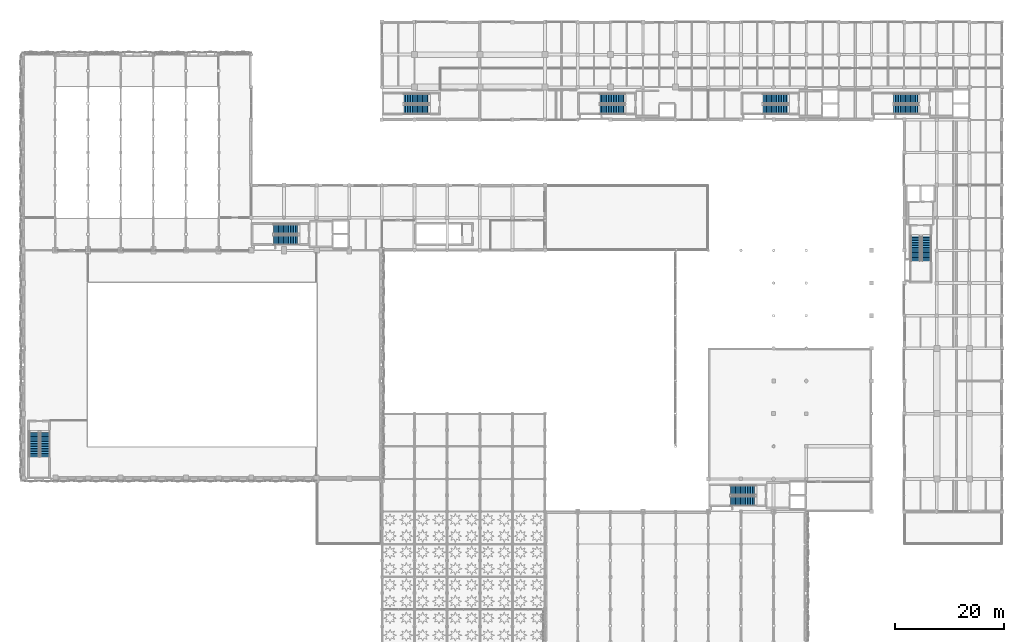
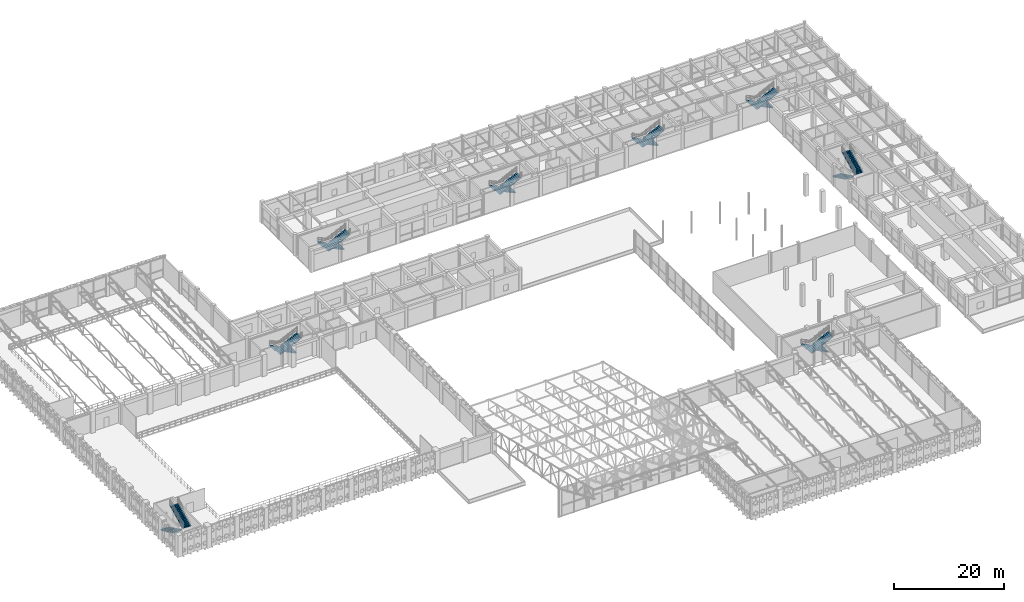
# One storey, part 106 of 123: 16 stair flights, 8 elements without a shape of their own.
"""IFC4 building model written with IfcOpenShell, lengths in metres."""

from ifc_helpers import new_model, si_unit, direction, frame, origin, place, context, subcontext, project, spatial, polyline, outline, extrude, material, type_object, element, aggregate, save


model = new_model("IFC4")

# Units and contexts
model_context = context("Model", 3, precision=1e-05, world=origin(), true_north=direction((0.0, 1.0)))
body_context = subcontext(model_context, "Body", "Model", "MODEL_VIEW")
ifc_project = project(units=[si_unit("LENGTHUNIT", "METRE"), si_unit("AREAUNIT", "SQUARE_METRE"), si_unit("VOLUMEUNIT", "CUBIC_METRE"), si_unit("PLANEANGLEUNIT", "RADIAN"), si_unit("MASSUNIT", "GRAM", prefix="KILO"), si_unit("THERMODYNAMICTEMPERATUREUNIT", "KELVIN"), si_unit("POWERUNIT", "WATT")], contexts=[model_context])

# Site, building, storey
site_placement = place(None, origin())
site = spatial("IfcSite", under=ifc_project, at=site_placement, CompositionType="ELEMENT")
building_placement = place(site_placement, origin())
building = spatial("IfcBuilding", under=site, at=building_placement, Name="Phaisarnlok Congress Hotel", CompositionType="ELEMENT")
storey_placement = place(building_placement, frame((0.0, 0.0, 15.0)))
storey = spatial("IfcBuildingStorey", under=building, at=storey_placement, Name="L03", CompositionType="ELEMENT", Elevation=15.0)

# Stair, stair flights
ifc_material = material(Name="Concrete C40/50", Category="concrete")
stair_type = type_object("IfcStairType", Name="STR-DOG-01", PredefinedType="HALF_TURN_STAIR", material=ifc_material)
stair_1_placement = place(storey_placement, origin())
stair_1 = element("IfcStair", 1, at=stair_1_placement, inside=storey, type_object=stair_type, Name="L03 ST-01", PredefinedType="HALF_TURN_STAIR")
stair_flight_type = type_object("IfcStairFlightType", Name="SFL-RC-01", PredefinedType="STRAIGHT", material=ifc_material)
stair_flight_1_placement = place(storey_placement, frame((50.719970703125, 87.909912109375, 0.0), z_axis=(0.0, 0.0, 1.0), x_axis=(-1.0, 0.0, 0.0)))
stair_flight_1 = element("IfcStairFlight", 2, at=stair_flight_1_placement, type_object=stair_flight_type, Name="ST-01 flight 1", NumberOfRisers=16, NumberOfTreads=15, PredefinedType="STRAIGHT", RiserHeight=0.15, TreadLength=0.31, context=body_context, shape_type="SweptSolid", body=[
    extrude(outline(polyline([(0.0, 0.0), (0.0, 0.14990234375), (0.31005859375, 0.14990234375), (0.31005859375, 0.300048828125), (0.6201171875, 0.300048828125), (0.6201171875, 0.449951171875), (0.929931640625, 0.449951171875), (0.929931640625, 0.60009765625), (1.239990234375, 0.60009765625), (1.239990234375, 0.75), (1.550048828125, 0.75), (1.550048828125, 0.89990234375), (1.860107421875, 0.89990234375), (1.860107421875, 1.050048828125), (2.169921875, 1.050048828125), (2.169921875, 1.199951171875), (2.47998046875, 1.199951171875), (2.47998046875, 1.35009765625), (2.7900390625, 1.35009765625), (2.7900390625, 1.5), (3.10009765625, 1.5), (3.10009765625, 1.64990234375), (3.409912109375, 1.64990234375), (3.409912109375, 1.800048828125), (3.719970703125, 1.800048828125), (3.719970703125, 1.949951171875), (4.030029296875, 1.949951171875), (4.030029296875, 2.10009765625), (4.340087890625, 2.10009765625), (4.340087890625, 2.25), (4.64990234375, 2.25), (4.64990234375, 2.39990234375), (4.64990234375, 2.08349609375), (0.34423828125, 0.0), (0.0, 0.0)])), frame((0.0, 0.89013671875, 0.0), z_axis=(0.0, -1.0, 0.0), x_axis=(1.0, 0.0, 0.0)), (0.0, 0.0, 1.0), 1.780029296875),
])
stair_flight_2_placement = place(storey_placement, frame((46.070068359375, 85.889892578125, 2.39990234375), z_axis=(0.0, 0.0, 1.0), x_axis=(1.0, 0.0, 0.0)))
stair_flight_2 = element("IfcStairFlight", 3, at=stair_flight_2_placement, type_object=stair_flight_type, Name="ST-01 flight 2", NumberOfRisers=16, NumberOfTreads=15, PredefinedType="STRAIGHT", RiserHeight=0.15, TreadLength=0.31, context=body_context, shape_type="SweptSolid", body=[
    extrude(outline(polyline([(0.0, 0.0), (0.0, 0.14990234375), (0.31005859375, 0.14990234375), (0.31005859375, 0.300048828125), (0.6201171875, 0.300048828125), (0.6201171875, 0.449951171875), (0.929931640625, 0.449951171875), (0.929931640625, 0.60009765625), (1.239990234375, 0.60009765625), (1.239990234375, 0.75), (1.550048828125, 0.75), (1.550048828125, 0.89990234375), (1.860107421875, 0.89990234375), (1.860107421875, 1.050048828125), (2.169921875, 1.050048828125), (2.169921875, 1.199951171875), (2.47998046875, 1.199951171875), (2.47998046875, 1.35009765625), (2.7900390625, 1.35009765625), (2.7900390625, 1.5), (3.10009765625, 1.5), (3.10009765625, 1.64990234375), (3.409912109375, 1.64990234375), (3.409912109375, 1.800048828125), (3.719970703125, 1.800048828125), (3.719970703125, 1.949951171875), (4.030029296875, 1.949951171875), (4.030029296875, 2.10009765625), (4.340087890625, 2.10009765625), (4.340087890625, 2.25), (4.64990234375, 2.25), (4.64990234375, 2.39990234375), (4.64990234375, 2.08349609375), (0.34423828125, 0.0), (0.0, 0.0)])), frame((0.0, 0.89013671875, 0.0), z_axis=(0.0, -1.0, 0.0), x_axis=(1.0, 0.0, 0.0)), (0.0, 0.0, 1.0), 1.780029296875),
])
aggregate(stair_1, [stair_flight_1, stair_flight_2])

stair_2_placement = place(storey_placement, origin())
stair_2 = element("IfcStair", 4, at=stair_2_placement, inside=storey, type_object=stair_type, Name="L03 ST-02", PredefinedType="HALF_TURN_STAIR")
stair_flight_3_placement = place(storey_placement, frame((134.719970703125, 39.909912109375, 0.0), z_axis=(0.0, 0.0, 1.0), x_axis=(-1.0, 0.0, 0.0)))
stair_flight_3 = element("IfcStairFlight", 5, at=stair_flight_3_placement, type_object=stair_flight_type, Name="ST-02 flight 1", NumberOfRisers=16, NumberOfTreads=15, PredefinedType="STRAIGHT", RiserHeight=0.15, TreadLength=0.31, context=body_context, shape_type="SweptSolid", body=[
    extrude(outline(polyline([(0.0, 0.0), (0.0, 0.14990234375), (0.31005859375, 0.14990234375), (0.31005859375, 0.300048828125), (0.6201171875, 0.300048828125), (0.6201171875, 0.449951171875), (0.929931640625, 0.449951171875), (0.929931640625, 0.60009765625), (1.239990234375, 0.60009765625), (1.239990234375, 0.75), (1.550048828125, 0.75), (1.550048828125, 0.89990234375), (1.860107421875, 0.89990234375), (1.860107421875, 1.050048828125), (2.169921875, 1.050048828125), (2.169921875, 1.199951171875), (2.47998046875, 1.199951171875), (2.47998046875, 1.35009765625), (2.7900390625, 1.35009765625), (2.7900390625, 1.5), (3.10009765625, 1.5), (3.10009765625, 1.64990234375), (3.409912109375, 1.64990234375), (3.409912109375, 1.800048828125), (3.719970703125, 1.800048828125), (3.719970703125, 1.949951171875), (4.030029296875, 1.949951171875), (4.030029296875, 2.10009765625), (4.340087890625, 2.10009765625), (4.340087890625, 2.25), (4.64990234375, 2.25), (4.64990234375, 2.39990234375), (4.64990234375, 2.08349609375), (0.34423828125, 0.0), (0.0, 0.0)])), frame((0.0, 0.89013671875, 0.0), z_axis=(0.0, -1.0, 0.0), x_axis=(1.0, 0.0, 0.0)), (0.0, 0.0, 1.0), 1.780029296875),
])
stair_flight_4_placement = place(storey_placement, frame((130.070068359375, 37.889892578125, 2.39990234375), z_axis=(0.0, 0.0, 1.0), x_axis=(1.0, 0.0, 0.0)))
stair_flight_4 = element("IfcStairFlight", 6, at=stair_flight_4_placement, type_object=stair_flight_type, Name="ST-02 flight 2", NumberOfRisers=16, NumberOfTreads=15, PredefinedType="STRAIGHT", RiserHeight=0.15, TreadLength=0.31, context=body_context, shape_type="SweptSolid", body=[
    extrude(outline(polyline([(0.0, 0.0), (0.0, 0.14990234375), (0.31005859375, 0.14990234375), (0.31005859375, 0.300048828125), (0.6201171875, 0.300048828125), (0.6201171875, 0.449951171875), (0.929931640625, 0.449951171875), (0.929931640625, 0.60009765625), (1.239990234375, 0.60009765625), (1.239990234375, 0.75), (1.550048828125, 0.75), (1.550048828125, 0.89990234375), (1.860107421875, 0.89990234375), (1.860107421875, 1.050048828125), (2.169921875, 1.050048828125), (2.169921875, 1.199951171875), (2.47998046875, 1.199951171875), (2.47998046875, 1.35009765625), (2.7900390625, 1.35009765625), (2.7900390625, 1.5), (3.10009765625, 1.5), (3.10009765625, 1.64990234375), (3.409912109375, 1.64990234375), (3.409912109375, 1.800048828125), (3.719970703125, 1.800048828125), (3.719970703125, 1.949951171875), (4.030029296875, 1.949951171875), (4.030029296875, 2.10009765625), (4.340087890625, 2.10009765625), (4.340087890625, 2.25), (4.64990234375, 2.25), (4.64990234375, 2.39990234375), (4.64990234375, 2.08349609375), (0.34423828125, 0.0), (0.0, 0.0)])), frame((0.0, 0.89013671875, 0.0), z_axis=(0.0, -1.0, 0.0), x_axis=(1.0, 0.0, 0.0)), (0.0, 0.0, 1.0), 1.780029296875),
])
aggregate(stair_2, [stair_flight_3, stair_flight_4])

stair_3_placement = place(storey_placement, origin())
stair_3 = element("IfcStair", 7, at=stair_3_placement, inside=storey, type_object=stair_type, Name="L03 ST-03", PredefinedType="HALF_TURN_STAIR")
stair_flight_5_placement = place(storey_placement, frame((2.090087890625, 50.719970703125, 0.0), z_axis=(0.0, 0.0, 1.0), x_axis=(0.0, -1.0, 0.0)))
stair_flight_5 = element("IfcStairFlight", 8, at=stair_flight_5_placement, type_object=stair_flight_type, Name="ST-03 flight 1", NumberOfRisers=16, NumberOfTreads=15, PredefinedType="STRAIGHT", RiserHeight=0.15, TreadLength=0.31, context=body_context, shape_type="SweptSolid", body=[
    extrude(outline(polyline([(0.0, 0.0), (0.0, 0.14990234375), (0.31005859375, 0.14990234375), (0.31005859375, 0.300048828125), (0.6201171875, 0.300048828125), (0.6201171875, 0.449951171875), (0.929931640625, 0.449951171875), (0.929931640625, 0.60009765625), (1.239990234375, 0.60009765625), (1.239990234375, 0.75), (1.550048828125, 0.75), (1.550048828125, 0.89990234375), (1.860107421875, 0.89990234375), (1.860107421875, 1.050048828125), (2.169921875, 1.050048828125), (2.169921875, 1.199951171875), (2.47998046875, 1.199951171875), (2.47998046875, 1.35009765625), (2.7900390625, 1.35009765625), (2.7900390625, 1.5), (3.10009765625, 1.5), (3.10009765625, 1.64990234375), (3.409912109375, 1.64990234375), (3.409912109375, 1.800048828125), (3.719970703125, 1.800048828125), (3.719970703125, 1.949951171875), (4.030029296875, 1.949951171875), (4.030029296875, 2.10009765625), (4.340087890625, 2.10009765625), (4.340087890625, 2.25), (4.64990234375, 2.25), (4.64990234375, 2.39990234375), (4.64990234375, 2.08349609375), (0.34423828125, 0.0), (0.0, 0.0)])), frame((0.0, 0.89013671875, 0.0), z_axis=(0.0, -1.0, 0.0), x_axis=(1.0, 0.0, 0.0)), (0.0, 0.0, 1.0), 1.780029296875),
])
stair_flight_6_placement = place(storey_placement, frame((4.110107421875, 46.070068359375, 2.39990234375), z_axis=(0.0, 0.0, 1.0), x_axis=(0.0, 1.0, 0.0)))
stair_flight_6 = element("IfcStairFlight", 9, at=stair_flight_6_placement, type_object=stair_flight_type, Name="ST-03 flight 2", NumberOfRisers=16, NumberOfTreads=15, PredefinedType="STRAIGHT", RiserHeight=0.15, TreadLength=0.31, context=body_context, shape_type="SweptSolid", body=[
    extrude(outline(polyline([(0.0, 0.0), (0.0, 0.14990234375), (0.31005859375, 0.14990234375), (0.31005859375, 0.300048828125), (0.6201171875, 0.300048828125), (0.6201171875, 0.449951171875), (0.929931640625, 0.449951171875), (0.929931640625, 0.60009765625), (1.239990234375, 0.60009765625), (1.239990234375, 0.75), (1.550048828125, 0.75), (1.550048828125, 0.89990234375), (1.860107421875, 0.89990234375), (1.860107421875, 1.050048828125), (2.169921875, 1.050048828125), (2.169921875, 1.199951171875), (2.47998046875, 1.199951171875), (2.47998046875, 1.35009765625), (2.7900390625, 1.35009765625), (2.7900390625, 1.5), (3.10009765625, 1.5), (3.10009765625, 1.64990234375), (3.409912109375, 1.64990234375), (3.409912109375, 1.800048828125), (3.719970703125, 1.800048828125), (3.719970703125, 1.949951171875), (4.030029296875, 1.949951171875), (4.030029296875, 2.10009765625), (4.340087890625, 2.10009765625), (4.340087890625, 2.25), (4.64990234375, 2.25), (4.64990234375, 2.39990234375), (4.64990234375, 2.08349609375), (0.34423828125, 0.0), (0.0, 0.0)])), frame((0.0, 0.89013671875, 0.0), z_axis=(0.0, -1.0, 0.0), x_axis=(1.0, 0.0, 0.0)), (0.0, 0.0, 1.0), 1.780029296875),
])
aggregate(stair_3, [stair_flight_5, stair_flight_6])

stair_4_placement = place(storey_placement, origin())
stair_4 = element("IfcStair", 10, at=stair_4_placement, inside=storey, type_object=stair_type, Name="L03 ST-05", PredefinedType="HALF_TURN_STAIR")
stair_flight_7_placement = place(storey_placement, frame((164.719970703125, 111.909912109375, 0.0), z_axis=(0.0, 0.0, 1.0), x_axis=(-1.0, 0.0, 0.0)))
stair_flight_7 = element("IfcStairFlight", 11, at=stair_flight_7_placement, type_object=stair_flight_type, Name="ST-05 flight 1", NumberOfRisers=16, NumberOfTreads=15, PredefinedType="STRAIGHT", RiserHeight=0.15, TreadLength=0.31, context=body_context, shape_type="SweptSolid", body=[
    extrude(outline(polyline([(0.0, 0.0), (0.0, 0.14990234375), (0.31005859375, 0.14990234375), (0.31005859375, 0.300048828125), (0.6201171875, 0.300048828125), (0.6201171875, 0.449951171875), (0.929931640625, 0.449951171875), (0.929931640625, 0.60009765625), (1.239990234375, 0.60009765625), (1.239990234375, 0.75), (1.550048828125, 0.75), (1.550048828125, 0.89990234375), (1.860107421875, 0.89990234375), (1.860107421875, 1.050048828125), (2.169921875, 1.050048828125), (2.169921875, 1.199951171875), (2.47998046875, 1.199951171875), (2.47998046875, 1.35009765625), (2.7900390625, 1.35009765625), (2.7900390625, 1.5), (3.10009765625, 1.5), (3.10009765625, 1.64990234375), (3.409912109375, 1.64990234375), (3.409912109375, 1.800048828125), (3.719970703125, 1.800048828125), (3.719970703125, 1.949951171875), (4.030029296875, 1.949951171875), (4.030029296875, 2.10009765625), (4.340087890625, 2.10009765625), (4.340087890625, 2.25), (4.64990234375, 2.25), (4.64990234375, 2.39990234375), (4.64990234375, 2.08349609375), (0.34423828125, 0.0), (0.0, 0.0)])), frame((0.0, 0.89013671875, 0.0), z_axis=(0.0, -1.0, 0.0), x_axis=(1.0, 0.0, 0.0)), (0.0, 0.0, 1.0), 1.780029296875),
])
stair_flight_8_placement = place(storey_placement, frame((160.070068359375, 109.889892578125, 2.39990234375), z_axis=(0.0, 0.0, 1.0), x_axis=(1.0, 0.0, 0.0)))
stair_flight_8 = element("IfcStairFlight", 12, at=stair_flight_8_placement, type_object=stair_flight_type, Name="ST-05 flight 2", NumberOfRisers=16, NumberOfTreads=15, PredefinedType="STRAIGHT", RiserHeight=0.15, TreadLength=0.31, context=body_context, shape_type="SweptSolid", body=[
    extrude(outline(polyline([(0.0, 0.0), (0.0, 0.14990234375), (0.31005859375, 0.14990234375), (0.31005859375, 0.300048828125), (0.6201171875, 0.300048828125), (0.6201171875, 0.449951171875), (0.929931640625, 0.449951171875), (0.929931640625, 0.60009765625), (1.239990234375, 0.60009765625), (1.239990234375, 0.75), (1.550048828125, 0.75), (1.550048828125, 0.89990234375), (1.860107421875, 0.89990234375), (1.860107421875, 1.050048828125), (2.169921875, 1.050048828125), (2.169921875, 1.199951171875), (2.47998046875, 1.199951171875), (2.47998046875, 1.35009765625), (2.7900390625, 1.35009765625), (2.7900390625, 1.5), (3.10009765625, 1.5), (3.10009765625, 1.64990234375), (3.409912109375, 1.64990234375), (3.409912109375, 1.800048828125), (3.719970703125, 1.800048828125), (3.719970703125, 1.949951171875), (4.030029296875, 1.949951171875), (4.030029296875, 2.10009765625), (4.340087890625, 2.10009765625), (4.340087890625, 2.25), (4.64990234375, 2.25), (4.64990234375, 2.39990234375), (4.64990234375, 2.08349609375), (0.34423828125, 0.0), (0.0, 0.0)])), frame((0.0, 0.89013671875, 0.0), z_axis=(0.0, -1.0, 0.0), x_axis=(1.0, 0.0, 0.0)), (0.0, 0.0, 1.0), 1.780029296875),
])
aggregate(stair_4, [stair_flight_7, stair_flight_8])

stair_5_placement = place(storey_placement, origin())
stair_5 = element("IfcStair", 13, at=stair_5_placement, inside=storey, type_object=stair_type, Name="L03 ST-06", PredefinedType="HALF_TURN_STAIR")
stair_flight_9_placement = place(storey_placement, frame((140.719970703125, 111.909912109375, 0.0), z_axis=(0.0, 0.0, 1.0), x_axis=(-1.0, 0.0, 0.0)))
stair_flight_9 = element("IfcStairFlight", 14, at=stair_flight_9_placement, type_object=stair_flight_type, Name="ST-06 flight 1", NumberOfRisers=16, NumberOfTreads=15, PredefinedType="STRAIGHT", RiserHeight=0.15, TreadLength=0.31, context=body_context, shape_type="SweptSolid", body=[
    extrude(outline(polyline([(0.0, 0.0), (0.0, 0.14990234375), (0.31005859375, 0.14990234375), (0.31005859375, 0.300048828125), (0.6201171875, 0.300048828125), (0.6201171875, 0.449951171875), (0.929931640625, 0.449951171875), (0.929931640625, 0.60009765625), (1.239990234375, 0.60009765625), (1.239990234375, 0.75), (1.550048828125, 0.75), (1.550048828125, 0.89990234375), (1.860107421875, 0.89990234375), (1.860107421875, 1.050048828125), (2.169921875, 1.050048828125), (2.169921875, 1.199951171875), (2.47998046875, 1.199951171875), (2.47998046875, 1.35009765625), (2.7900390625, 1.35009765625), (2.7900390625, 1.5), (3.10009765625, 1.5), (3.10009765625, 1.64990234375), (3.409912109375, 1.64990234375), (3.409912109375, 1.800048828125), (3.719970703125, 1.800048828125), (3.719970703125, 1.949951171875), (4.030029296875, 1.949951171875), (4.030029296875, 2.10009765625), (4.340087890625, 2.10009765625), (4.340087890625, 2.25), (4.64990234375, 2.25), (4.64990234375, 2.39990234375), (4.64990234375, 2.08349609375), (0.34423828125, 0.0), (0.0, 0.0)])), frame((0.0, 0.89013671875, 0.0), z_axis=(0.0, -1.0, 0.0), x_axis=(1.0, 0.0, 0.0)), (0.0, 0.0, 1.0), 1.780029296875),
])
stair_flight_10_placement = place(storey_placement, frame((136.070068359375, 109.889892578125, 2.39990234375), z_axis=(0.0, 0.0, 1.0), x_axis=(1.0, 0.0, 0.0)))
stair_flight_10 = element("IfcStairFlight", 15, at=stair_flight_10_placement, type_object=stair_flight_type, Name="ST-06 flight 2", NumberOfRisers=16, NumberOfTreads=15, PredefinedType="STRAIGHT", RiserHeight=0.15, TreadLength=0.31, context=body_context, shape_type="SweptSolid", body=[
    extrude(outline(polyline([(0.0, 0.0), (0.0, 0.14990234375), (0.31005859375, 0.14990234375), (0.31005859375, 0.300048828125), (0.6201171875, 0.300048828125), (0.6201171875, 0.449951171875), (0.929931640625, 0.449951171875), (0.929931640625, 0.60009765625), (1.239990234375, 0.60009765625), (1.239990234375, 0.75), (1.550048828125, 0.75), (1.550048828125, 0.89990234375), (1.860107421875, 0.89990234375), (1.860107421875, 1.050048828125), (2.169921875, 1.050048828125), (2.169921875, 1.199951171875), (2.47998046875, 1.199951171875), (2.47998046875, 1.35009765625), (2.7900390625, 1.35009765625), (2.7900390625, 1.5), (3.10009765625, 1.5), (3.10009765625, 1.64990234375), (3.409912109375, 1.64990234375), (3.409912109375, 1.800048828125), (3.719970703125, 1.800048828125), (3.719970703125, 1.949951171875), (4.030029296875, 1.949951171875), (4.030029296875, 2.10009765625), (4.340087890625, 2.10009765625), (4.340087890625, 2.25), (4.64990234375, 2.25), (4.64990234375, 2.39990234375), (4.64990234375, 2.08349609375), (0.34423828125, 0.0), (0.0, 0.0)])), frame((0.0, 0.89013671875, 0.0), z_axis=(0.0, -1.0, 0.0), x_axis=(1.0, 0.0, 0.0)), (0.0, 0.0, 1.0), 1.780029296875),
])
aggregate(stair_5, [stair_flight_9, stair_flight_10])

stair_6_placement = place(storey_placement, origin())
stair_6 = element("IfcStair", 16, at=stair_6_placement, inside=storey, type_object=stair_type, Name="L03 ST-07", PredefinedType="HALF_TURN_STAIR")
stair_flight_11_placement = place(storey_placement, frame((110.719970703125, 111.909912109375, 0.0), z_axis=(0.0, 0.0, 1.0), x_axis=(-1.0, 0.0, 0.0)))
stair_flight_11 = element("IfcStairFlight", 17, at=stair_flight_11_placement, type_object=stair_flight_type, Name="ST-07 flight 1", NumberOfRisers=16, NumberOfTreads=15, PredefinedType="STRAIGHT", RiserHeight=0.15, TreadLength=0.31, context=body_context, shape_type="SweptSolid", body=[
    extrude(outline(polyline([(0.0, 0.0), (0.0, 0.14990234375), (0.31005859375, 0.14990234375), (0.31005859375, 0.300048828125), (0.6201171875, 0.300048828125), (0.6201171875, 0.449951171875), (0.929931640625, 0.449951171875), (0.929931640625, 0.60009765625), (1.239990234375, 0.60009765625), (1.239990234375, 0.75), (1.550048828125, 0.75), (1.550048828125, 0.89990234375), (1.860107421875, 0.89990234375), (1.860107421875, 1.050048828125), (2.169921875, 1.050048828125), (2.169921875, 1.199951171875), (2.47998046875, 1.199951171875), (2.47998046875, 1.35009765625), (2.7900390625, 1.35009765625), (2.7900390625, 1.5), (3.10009765625, 1.5), (3.10009765625, 1.64990234375), (3.409912109375, 1.64990234375), (3.409912109375, 1.800048828125), (3.719970703125, 1.800048828125), (3.719970703125, 1.949951171875), (4.030029296875, 1.949951171875), (4.030029296875, 2.10009765625), (4.340087890625, 2.10009765625), (4.340087890625, 2.25), (4.64990234375, 2.25), (4.64990234375, 2.39990234375), (4.64990234375, 2.08349609375), (0.34423828125, 0.0), (0.0, 0.0)])), frame((0.0, 0.89013671875, 0.0), z_axis=(0.0, -1.0, 0.0), x_axis=(1.0, 0.0, 0.0)), (0.0, 0.0, 1.0), 1.780029296875),
])
stair_flight_12_placement = place(storey_placement, frame((106.070068359375, 109.889892578125, 2.39990234375), z_axis=(0.0, 0.0, 1.0), x_axis=(1.0, 0.0, 0.0)))
stair_flight_12 = element("IfcStairFlight", 18, at=stair_flight_12_placement, type_object=stair_flight_type, Name="ST-07 flight 2", NumberOfRisers=16, NumberOfTreads=15, PredefinedType="STRAIGHT", RiserHeight=0.15, TreadLength=0.31, context=body_context, shape_type="SweptSolid", body=[
    extrude(outline(polyline([(0.0, 0.0), (0.0, 0.14990234375), (0.31005859375, 0.14990234375), (0.31005859375, 0.300048828125), (0.6201171875, 0.300048828125), (0.6201171875, 0.449951171875), (0.929931640625, 0.449951171875), (0.929931640625, 0.60009765625), (1.239990234375, 0.60009765625), (1.239990234375, 0.75), (1.550048828125, 0.75), (1.550048828125, 0.89990234375), (1.860107421875, 0.89990234375), (1.860107421875, 1.050048828125), (2.169921875, 1.050048828125), (2.169921875, 1.199951171875), (2.47998046875, 1.199951171875), (2.47998046875, 1.35009765625), (2.7900390625, 1.35009765625), (2.7900390625, 1.5), (3.10009765625, 1.5), (3.10009765625, 1.64990234375), (3.409912109375, 1.64990234375), (3.409912109375, 1.800048828125), (3.719970703125, 1.800048828125), (3.719970703125, 1.949951171875), (4.030029296875, 1.949951171875), (4.030029296875, 2.10009765625), (4.340087890625, 2.10009765625), (4.340087890625, 2.25), (4.64990234375, 2.25), (4.64990234375, 2.39990234375), (4.64990234375, 2.08349609375), (0.34423828125, 0.0), (0.0, 0.0)])), frame((0.0, 0.89013671875, 0.0), z_axis=(0.0, -1.0, 0.0), x_axis=(1.0, 0.0, 0.0)), (0.0, 0.0, 1.0), 1.780029296875),
])
aggregate(stair_6, [stair_flight_11, stair_flight_12])

stair_7_placement = place(storey_placement, origin())
stair_7 = element("IfcStair", 19, at=stair_7_placement, inside=storey, type_object=stair_type, Name="L03 ST-09", PredefinedType="HALF_TURN_STAIR")
stair_flight_13_placement = place(storey_placement, frame((164.090087890625, 86.719970703125, 0.0), z_axis=(0.0, 0.0, 1.0), x_axis=(0.0, -1.0, 0.0)))
stair_flight_13 = element("IfcStairFlight", 20, at=stair_flight_13_placement, type_object=stair_flight_type, Name="ST-09 flight 1", NumberOfRisers=16, NumberOfTreads=15, PredefinedType="STRAIGHT", RiserHeight=0.15, TreadLength=0.31, context=body_context, shape_type="SweptSolid", body=[
    extrude(outline(polyline([(0.0, 0.0), (0.0, 0.14990234375), (0.31005859375, 0.14990234375), (0.31005859375, 0.300048828125), (0.6201171875, 0.300048828125), (0.6201171875, 0.449951171875), (0.929931640625, 0.449951171875), (0.929931640625, 0.60009765625), (1.239990234375, 0.60009765625), (1.239990234375, 0.75), (1.550048828125, 0.75), (1.550048828125, 0.89990234375), (1.860107421875, 0.89990234375), (1.860107421875, 1.050048828125), (2.169921875, 1.050048828125), (2.169921875, 1.199951171875), (2.47998046875, 1.199951171875), (2.47998046875, 1.35009765625), (2.7900390625, 1.35009765625), (2.7900390625, 1.5), (3.10009765625, 1.5), (3.10009765625, 1.64990234375), (3.409912109375, 1.64990234375), (3.409912109375, 1.800048828125), (3.719970703125, 1.800048828125), (3.719970703125, 1.949951171875), (4.030029296875, 1.949951171875), (4.030029296875, 2.10009765625), (4.340087890625, 2.10009765625), (4.340087890625, 2.25), (4.64990234375, 2.25), (4.64990234375, 2.39990234375), (4.64990234375, 2.08349609375), (0.34423828125, 0.0), (0.0, 0.0)])), frame((0.0, 0.89013671875, 0.0), z_axis=(0.0, -1.0, 0.0), x_axis=(1.0, 0.0, 0.0)), (0.0, 0.0, 1.0), 1.780029296875),
])
stair_flight_14_placement = place(storey_placement, frame((166.110107421875, 82.070068359375, 2.39990234375), z_axis=(0.0, 0.0, 1.0), x_axis=(0.0, 1.0, 0.0)))
stair_flight_14 = element("IfcStairFlight", 21, at=stair_flight_14_placement, type_object=stair_flight_type, Name="ST-09 flight 2", NumberOfRisers=16, NumberOfTreads=15, PredefinedType="STRAIGHT", RiserHeight=0.15, TreadLength=0.31, context=body_context, shape_type="SweptSolid", body=[
    extrude(outline(polyline([(0.0, 0.0), (0.0, 0.14990234375), (0.31005859375, 0.14990234375), (0.31005859375, 0.300048828125), (0.6201171875, 0.300048828125), (0.6201171875, 0.449951171875), (0.929931640625, 0.449951171875), (0.929931640625, 0.60009765625), (1.239990234375, 0.60009765625), (1.239990234375, 0.75), (1.550048828125, 0.75), (1.550048828125, 0.89990234375), (1.860107421875, 0.89990234375), (1.860107421875, 1.050048828125), (2.169921875, 1.050048828125), (2.169921875, 1.199951171875), (2.47998046875, 1.199951171875), (2.47998046875, 1.35009765625), (2.7900390625, 1.35009765625), (2.7900390625, 1.5), (3.10009765625, 1.5), (3.10009765625, 1.64990234375), (3.409912109375, 1.64990234375), (3.409912109375, 1.800048828125), (3.719970703125, 1.800048828125), (3.719970703125, 1.949951171875), (4.030029296875, 1.949951171875), (4.030029296875, 2.10009765625), (4.340087890625, 2.10009765625), (4.340087890625, 2.25), (4.64990234375, 2.25), (4.64990234375, 2.39990234375), (4.64990234375, 2.08349609375), (0.34423828125, 0.0), (0.0, 0.0)])), frame((0.0, 0.89013671875, 0.0), z_axis=(0.0, -1.0, 0.0), x_axis=(1.0, 0.0, 0.0)), (0.0, 0.0, 1.0), 1.780029296875),
])
aggregate(stair_7, [stair_flight_13, stair_flight_14])

stair_8_placement = place(storey_placement, origin())
stair_8 = element("IfcStair", 22, at=stair_8_placement, inside=storey, type_object=stair_type, Name="L03 ST-10", PredefinedType="HALF_TURN_STAIR")
stair_flight_15_placement = place(storey_placement, frame((74.719970703125, 111.909912109375, 0.0), z_axis=(0.0, 0.0, 1.0), x_axis=(-1.0, 0.0, 0.0)))
stair_flight_15 = element("IfcStairFlight", 23, at=stair_flight_15_placement, type_object=stair_flight_type, Name="ST-10 flight 1", NumberOfRisers=16, NumberOfTreads=15, PredefinedType="STRAIGHT", RiserHeight=0.15, TreadLength=0.31, context=body_context, shape_type="SweptSolid", body=[
    extrude(outline(polyline([(0.0, 0.0), (0.0, 0.14990234375), (0.31005859375, 0.14990234375), (0.31005859375, 0.300048828125), (0.6201171875, 0.300048828125), (0.6201171875, 0.449951171875), (0.929931640625, 0.449951171875), (0.929931640625, 0.60009765625), (1.239990234375, 0.60009765625), (1.239990234375, 0.75), (1.550048828125, 0.75), (1.550048828125, 0.89990234375), (1.860107421875, 0.89990234375), (1.860107421875, 1.050048828125), (2.169921875, 1.050048828125), (2.169921875, 1.199951171875), (2.47998046875, 1.199951171875), (2.47998046875, 1.35009765625), (2.7900390625, 1.35009765625), (2.7900390625, 1.5), (3.10009765625, 1.5), (3.10009765625, 1.64990234375), (3.409912109375, 1.64990234375), (3.409912109375, 1.800048828125), (3.719970703125, 1.800048828125), (3.719970703125, 1.949951171875), (4.030029296875, 1.949951171875), (4.030029296875, 2.10009765625), (4.340087890625, 2.10009765625), (4.340087890625, 2.25), (4.64990234375, 2.25), (4.64990234375, 2.39990234375), (4.64990234375, 2.08349609375), (0.34423828125, 0.0), (0.0, 0.0)])), frame((0.0, 0.89013671875, 0.0), z_axis=(0.0, -1.0, 0.0), x_axis=(1.0, 0.0, 0.0)), (0.0, 0.0, 1.0), 1.780029296875),
])
stair_flight_16_placement = place(storey_placement, frame((70.070068359375, 109.889892578125, 2.39990234375), z_axis=(0.0, 0.0, 1.0), x_axis=(1.0, 0.0, 0.0)))
stair_flight_16 = element("IfcStairFlight", 24, at=stair_flight_16_placement, type_object=stair_flight_type, Name="ST-10 flight 2", NumberOfRisers=16, NumberOfTreads=15, PredefinedType="STRAIGHT", RiserHeight=0.15, TreadLength=0.31, context=body_context, shape_type="SweptSolid", body=[
    extrude(outline(polyline([(0.0, 0.0), (0.0, 0.14990234375), (0.31005859375, 0.14990234375), (0.31005859375, 0.300048828125), (0.6201171875, 0.300048828125), (0.6201171875, 0.449951171875), (0.929931640625, 0.449951171875), (0.929931640625, 0.60009765625), (1.239990234375, 0.60009765625), (1.239990234375, 0.75), (1.550048828125, 0.75), (1.550048828125, 0.89990234375), (1.860107421875, 0.89990234375), (1.860107421875, 1.050048828125), (2.169921875, 1.050048828125), (2.169921875, 1.199951171875), (2.47998046875, 1.199951171875), (2.47998046875, 1.35009765625), (2.7900390625, 1.35009765625), (2.7900390625, 1.5), (3.10009765625, 1.5), (3.10009765625, 1.64990234375), (3.409912109375, 1.64990234375), (3.409912109375, 1.800048828125), (3.719970703125, 1.800048828125), (3.719970703125, 1.949951171875), (4.030029296875, 1.949951171875), (4.030029296875, 2.10009765625), (4.340087890625, 2.10009765625), (4.340087890625, 2.25), (4.64990234375, 2.25), (4.64990234375, 2.39990234375), (4.64990234375, 2.08349609375), (0.34423828125, 0.0), (0.0, 0.0)])), frame((0.0, 0.89013671875, 0.0), z_axis=(0.0, -1.0, 0.0), x_axis=(1.0, 0.0, 0.0)), (0.0, 0.0, 1.0), 1.780029296875),
])
aggregate(stair_8, [stair_flight_15, stair_flight_16])

save(model, "model.ifc")
